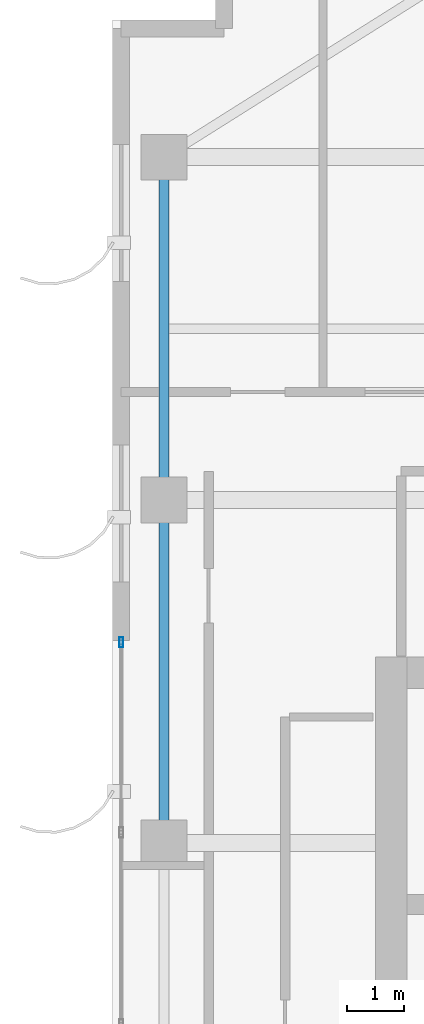
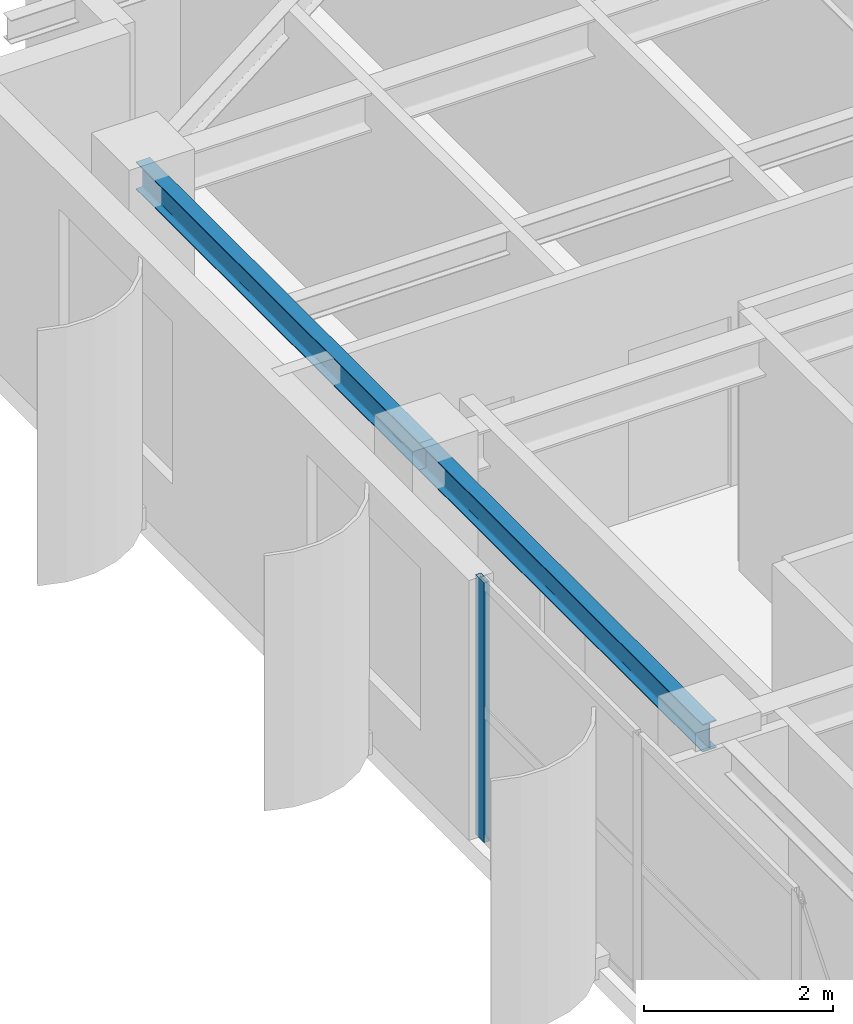
# One storey, part 8 of 22: 2 beams, 1 member, 1 element without a shape of its own.
"""IFC4 building model written with IfcOpenShell, lengths in metres."""

from ifc_helpers import new_model, si_unit, direction, frame, origin, origin_2d, place, context, subcontext, project, spatial, hollow_rectangle, i_section, extrude, source, transform, mapped, material, layer, layer_set, material_profile, profile_set, type_object, element, aggregate, save


model = new_model("IFC4")

# Units and contexts
model_context = context("Model", 3, precision=1e-05, world=origin(), true_north=direction((0.0, 1.0)))
body_context = subcontext(model_context, "Body", "Model", "MODEL_VIEW")
ifc_project = project(units=[si_unit("LENGTHUNIT", "METRE"), si_unit("AREAUNIT", "SQUARE_METRE"), si_unit("VOLUMEUNIT", "CUBIC_METRE"), si_unit("PLANEANGLEUNIT", "RADIAN"), si_unit("MASSUNIT", "GRAM", prefix="KILO")], contexts=[model_context])

# Site, building, storey
site_placement = place(None, origin())
site = spatial("IfcSite", under=ifc_project, at=site_placement, CompositionType="ELEMENT")
building_placement = place(site_placement, origin())
building = spatial("IfcBuilding", under=site, at=building_placement, Name="Khoralis Quay Care Tower", CompositionType="ELEMENT")
storey_placement = place(building_placement, frame((0.0, 0.0, 242.10009765625)))
storey = spatial("IfcBuildingStorey", under=building, at=storey_placement, Name="L63", CompositionType="ELEMENT", Elevation=242.10009765625)

# Beams
ifc_material_1 = material(Name="Steel S355", Category="steel")
ifc_material_profile_1 = material_profile(ifc_material_1, i_section(OverallWidth=0.169921875, OverallDepth=0.360107421875, WebThickness=0.008056640625, FlangeThickness=0.0126953125, FilletRadius=0.01806640625, at=origin_2d()), Name="Steel S355")
ifc_profile_set_1 = profile_set([ifc_material_profile_1], Name="Steel S355")
beam_type = type_object("IfcBeamType", Name="BM-IPE360", PredefinedType="SPANDREL", material=ifc_profile_set_1)
shared_shape_1 = source(origin(), body_context, "Body", "SweptSolid", [
    extrude(i_section(OverallWidth=0.169921875, OverallDepth=0.360107421875, WebThickness=0.008056640625, FlangeThickness=0.0126953125, FilletRadius=0.01806640625, at=origin_2d()), origin(), (0.0, 0.0, 1.0), 6.0),
])
for number, where, z_axis, x_axis, name in (
    (1, (3.89990234375, 24.0, 3.179931640625), (0.0, 1.0, 0.0), (-1.0, 0.0, 0.0), "BM-TSP-L63-07"),
    (2, (3.89990234375, 30.0, 3.179931640625), (0.0, 1.0, 0.0), (-1.0, 0.0, 0.0), "BM-TSP-L63-08"),
):
    element("IfcBeam", number, at=place(storey_placement, frame(where, z_axis=z_axis, x_axis=x_axis)), inside=storey, type_object=beam_type, Name=name, PredefinedType="SPANDREL", context=body_context, shape_type="MappedRepresentation", body=[
        mapped(shared_shape_1, transform((0.0, 0.0, 0.0), scale=1.0)),
    ])

# Curtain wall, member
ifc_material_2 = material(Name="Pale anodised aluminium", Category="aluminium")
ifc_layer = layer(ifc_material_2, 0.159912109375)
ifc_layer_set = layer_set([ifc_layer], Name="Pale anodised aluminium")
curtain_wall_type = type_object("IfcCurtainWallType", Name="CW-SYS-Z3", PredefinedType="NOTDEFINED", material=ifc_layer_set)
curtain_wall_placement = place(storey_placement, origin())
curtain_wall = element("IfcCurtainWall", 3, at=curtain_wall_placement, inside=storey, type_object=curtain_wall_type, Name="L63 Unitised Curtain Wall CW-L63-P1-E7", PredefinedType="NOTDEFINED")
ifc_material_profile_2 = material_profile(ifc_material_2, hollow_rectangle(XDim=0.06494140625, YDim=0.179931640625, WallThickness=0.00390625, at=origin_2d()), Name="Pale anodised aluminium")
ifc_profile_set_2 = profile_set([ifc_material_profile_2], Name="Pale anodised aluminium")
member_type = type_object("IfcMemberType", Name="CW-MUL-180", PredefinedType="MULLION", material=ifc_profile_set_2)
shared_shape_2 = source(origin(), body_context, "Body", "SweptSolid", [
    extrude(hollow_rectangle(XDim=0.06494140625, YDim=0.179931640625, WallThickness=0.00390625, at=origin_2d()), origin(), (0.0, 0.0, 1.0), 3.35986328125),
])
member_placement = place(storey_placement, frame((3.14990234375, 27.510009765625, 0.0), z_axis=(0.0, 0.0, 1.0), x_axis=(1.0, 0.0, 0.0)))
member = element("IfcMember", 4, at=member_placement, type_object=member_type, Name="CW3 mullion 1", PredefinedType="MULLION", context=body_context, shape_type="MappedRepresentation", body=[
    mapped(shared_shape_2, transform((0.0, 0.0, 0.0), scale=1.0)),
])
aggregate(curtain_wall, [member])

save(model, "model.ifc")
